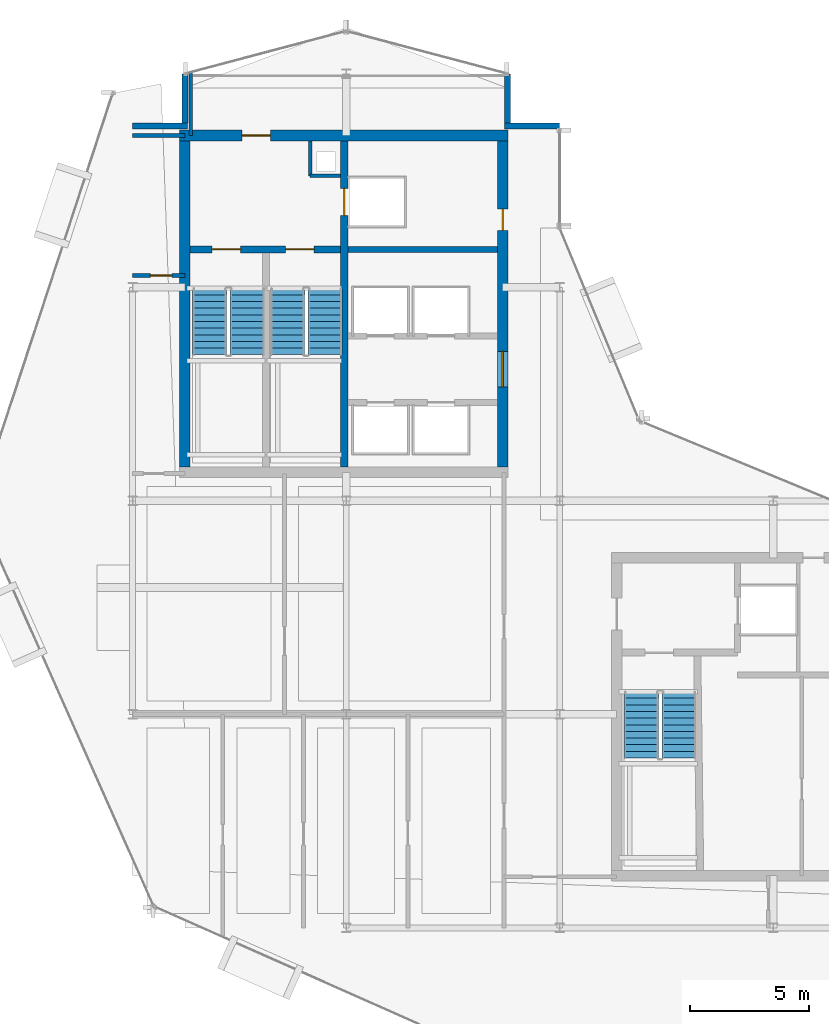
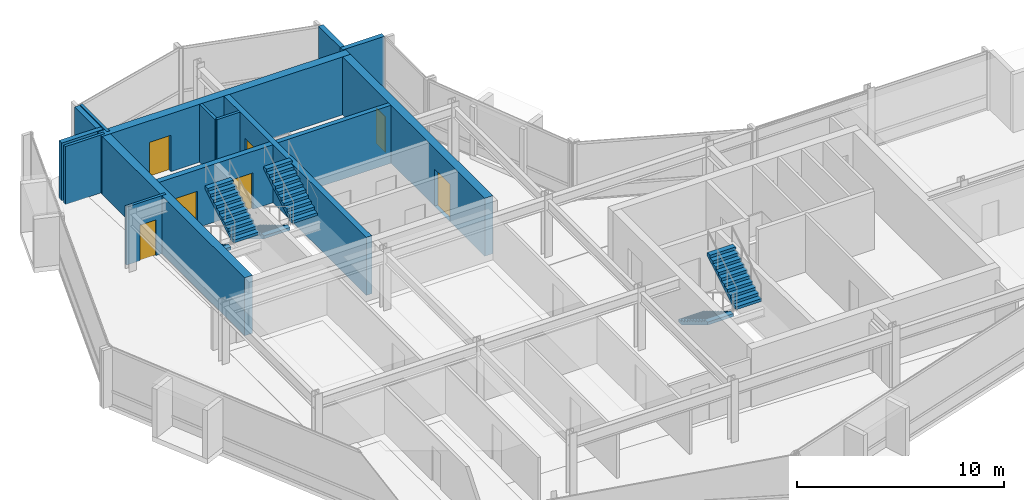
# One storey, part 21 of 27: 15 walls, 7 doors, 6 stair flights, 7 openings, 3 elements without a shape of their own.
"""IFC4 building model written with IfcOpenShell, lengths in metres."""

from ifc_helpers import new_model, si_unit, direction, frame, frame_2d, origin, place, context, subcontext, project, spatial, polyline, rectangle, outline, extrude, material, layer, layer_set, type_object, element, fill, aggregate, save


model = new_model("IFC4")

# Units and contexts
model_context = context("Model", 3, precision=1e-05, world=origin(), true_north=direction((0.0, 1.0)))
body_context = subcontext(model_context, "Body", "Model", "MODEL_VIEW")
ifc_project = project(units=[si_unit("LENGTHUNIT", "METRE"), si_unit("AREAUNIT", "SQUARE_METRE"), si_unit("VOLUMEUNIT", "CUBIC_METRE"), si_unit("PLANEANGLEUNIT", "RADIAN"), si_unit("MASSUNIT", "GRAM", prefix="KILO")], contexts=[model_context])

# Site, building, storey
site_placement = place(None, origin())
site = spatial("IfcSite", under=ifc_project, at=site_placement, CompositionType="ELEMENT")
building_placement = place(site_placement, origin())
building = spatial("IfcBuilding", under=site, at=building_placement, Name="Solvaryn Broadcast Tower", CompositionType="ELEMENT")
storey_placement = place(building_placement, frame((0.0, 0.0, 224.699951171875)))
storey = spatial("IfcBuildingStorey", under=building, at=storey_placement, Name="L56", CompositionType="ELEMENT", Elevation=224.699951171875)

# Wall, opening, door
ifc_material_1 = material(Name="Concrete f'c 70 MPa", Category="concrete")
ifc_layer_1 = layer(ifc_material_1, 0.449951171875)
ifc_layer_set_1 = layer_set([ifc_layer_1], Name="CW-SHEAR-450")
wall_type_1 = type_object("IfcWallType", Name="CW-SHEAR-450", PredefinedType="SHEAR", material=ifc_layer_set_1)
wall_1_placement = place(storey_placement, frame((24.824951171875, 42.39990234375, 0.0), z_axis=(0.0, 0.0, 1.0), x_axis=(-1.0, 0.0, 0.0)))
wall_1 = element("IfcWall", 1, at=wall_1_placement, inside=storey, type_object=wall_type_1, Name="L56 West Core North Shear Wall", PredefinedType="SHEAR", context=body_context, shape_type="SweptSolid", body=[
    extrude(rectangle(XDim=13.849853515625, YDim=0.449951171875, at=frame_2d((6.9248046875, 0.0))), origin(), (0.0, 0.0, 1.0), 3.420166015625),
])
opening_1_placement = place(wall_1_placement, frame((10.02490234375, 0.0, 0.0)))
opening_1 = element("IfcOpeningElement", 2, at=opening_1_placement, cuts=wall_1, Name="Opening FD90A", PredefinedType="OPENING", context=body_context, shape_type="SweptSolid", body=[
    extrude(rectangle(XDim=1.199951171875, YDim=2.14990234375, at=frame_2d((0.60009765625, 1.074951171875))), frame((0.0, 0.235107421875, 0.0), z_axis=(0.0, -1.0, 0.0), x_axis=(1.0, 0.0, 0.0)), (0.0, 0.0, 1.0), 0.469970703125),
])
ifc_material_2 = material(Name="Flush Acoustic Steel and Timber Door Assembly", Category="steel")
door_type_1 = type_object("IfcDoorType", Name="FD90-STAIR-1200X2150", OperationType="NOTDEFINED", PredefinedType="DOOR", material=ifc_material_2)
door_1_placement = place(opening_1_placement, origin())
door_1 = element("IfcDoor", 3, at=door_1_placement, inside=storey, type_object=door_type_1, Name="L56 West FSAE Lobby Corridor Door", OperationType="SINGLE_SWING_LEFT", OverallHeight=2.14990234375, OverallWidth=1.199951171875, PredefinedType="DOOR", context=body_context, shape_type="SweptSolid", body=[
    extrude(rectangle(XDim=1.199951171875, YDim=2.14990234375, at=frame_2d((0.60009765625, 1.074951171875))), frame((0.0, 0.02490234375, 0.0), z_axis=(0.0, -1.0, 0.0), x_axis=(1.0, 0.0, 0.0)), (0.0, 0.0, 1.0), 0.050048828125),
])
fill(opening_1, door_1)

# Wall
wall_2_placement = place(storey_placement, frame((11.199951171875, 42.175048828125, 0.0), z_axis=(0.0, 0.0, 1.0), x_axis=(0.0, -1.0, 0.0)))
element("IfcWall", 4, at=wall_2_placement, inside=storey, type_object=wall_type_1, Name="L56 West Core West Shear Wall", PredefinedType="SHEAR", context=body_context, shape_type="SweptSolid", body=[
    extrude(rectangle(XDim=13.75, YDim=0.449951171875, at=frame_2d((6.875, 0.0))), origin(), (0.0, 0.0, 1.0), 3.420166015625),
])

# Wall, openings, doors
wall_3_placement = place(storey_placement, frame((24.60009765625, 28.425048828125, 0.0), z_axis=(0.0, 0.0, 1.0), x_axis=(0.0, 1.0, 0.0)))
wall_3 = element("IfcWall", 5, at=wall_3_placement, inside=storey, type_object=wall_type_1, Name="L56 West Core East Shear Wall", PredefinedType="SHEAR", context=body_context, shape_type="SweptSolid", body=[
    extrude(rectangle(XDim=13.75, YDim=0.449951171875, at=frame_2d((6.875, 0.0))), origin(), (0.0, 0.0, 1.0), 3.420166015625),
])
opening_2_placement = place(wall_3_placement, frame((3.375, 0.0, 0.0)))
opening_2 = element("IfcOpeningElement", 6, at=opening_2_placement, cuts=wall_3, Name="Opening FD60A", PredefinedType="OPENING", context=body_context, shape_type="SweptSolid", body=[
    extrude(rectangle(XDim=1.5, YDim=2.199951171875, at=frame_2d((0.75, 1.10009765625))), frame((0.0, 0.235107421875, 0.0), z_axis=(0.0, -1.0, 0.0), x_axis=(1.0, 0.0, 0.0)), (0.0, 0.0, 1.0), 0.469970703125),
])
opening_3_placement = place(wall_3_placement, frame((9.97509765625, 0.0, 0.0)))
opening_3 = element("IfcOpeningElement", 7, at=opening_3_placement, cuts=wall_3, Name="Opening FD60C", PredefinedType="OPENING", context=body_context, shape_type="SweptSolid", body=[
    extrude(rectangle(XDim=0.89990234375, YDim=2.10009765625, at=frame_2d((0.449951171875, 1.050048828125))), frame((0.0, 0.235107421875, 0.0), z_axis=(0.0, -1.0, 0.0), x_axis=(1.0, 0.0, 0.0)), (0.0, 0.0, 1.0), 0.469970703125),
])
ifc_material_3 = material(Name="Flush Acoustic Steel and Timber Door Assembly", Category="steel")
door_type_2 = type_object("IfcDoorType", Name="FD60-CORR-1500X2200", OperationType="NOTDEFINED", PredefinedType="DOOR", material=ifc_material_3)
door_2_placement = place(opening_2_placement, origin())
door_2 = element("IfcDoor", 8, at=door_2_placement, inside=storey, type_object=door_type_2, Name="L56 West Elevator Lobby Corridor Door", OperationType="DOUBLE_DOOR_SINGLE_SWING", OverallHeight=2.199951171875, OverallWidth=1.5, PredefinedType="DOOR", context=body_context, shape_type="SweptSolid", body=[
    extrude(rectangle(XDim=1.5, YDim=2.199951171875, at=frame_2d((0.75, 1.10009765625))), frame((0.0, 0.02490234375, 0.0), z_axis=(0.0, -1.0, 0.0), x_axis=(1.0, 0.0, 0.0)), (0.0, 0.0, 1.0), 0.050048828125),
])
fill(opening_2, door_2)
ifc_material_4 = material(Name="Flush Acoustic Steel and Timber Door Assembly", Category="steel")
door_type_3 = type_object("IfcDoorType", Name="FD60-SERV-900X2100", OperationType="NOTDEFINED", PredefinedType="DOOR", material=ifc_material_4)
door_3_placement = place(opening_3_placement, origin())
door_3 = element("IfcDoor", 9, at=door_3_placement, inside=storey, type_object=door_type_3, Name="L56 West Core Service Door 1", OperationType="SINGLE_SWING_LEFT", OverallHeight=2.10009765625, OverallWidth=0.89990234375, PredefinedType="DOOR", context=body_context, shape_type="SweptSolid", body=[
    extrude(rectangle(XDim=0.89990234375, YDim=2.10009765625, at=frame_2d((0.449951171875, 1.050048828125))), frame((0.0, 0.02490234375, 0.0), z_axis=(0.0, -1.0, 0.0), x_axis=(1.0, 0.0, 0.0)), (0.0, 0.0, 1.0), 0.050048828125),
])
fill(opening_3, door_3)

# Walls
ifc_material_5 = material(Name="Concrete f'c 50 MPa", Category="concrete")
ifc_layer_2 = layer(ifc_material_5, 0.260009765625)
ifc_layer_set_2 = layer_set([ifc_layer_2], Name="EW-PIER-260")
wall_type_2 = type_object("IfcWallType", Name="EW-PIER-260", PredefinedType="SOLIDWALL", material=ifc_layer_set_2)
wall_4_placement = place(storey_placement, frame((9.0, 42.800048828125, 0.0), z_axis=(0.0, 0.0, 1.0), x_axis=(1.0, 0.0, 0.0)))
element("IfcWall", 10, at=wall_4_placement, inside=storey, type_object=wall_type_2, Name="L56 Notched Corner Pier Wall NNW1", PredefinedType="SOLIDWALL", context=body_context, shape_type="SweptSolid", body=[
    extrude(rectangle(XDim=2.320068359375, YDim=0.260009765625, at=frame_2d((1.16015625, 0.0))), origin(), (0.0, 0.0, 1.0), 3.420166015625),
])
for number, where, z_axis, x_axis, name in (
    (11, (11.199951171875, 42.919921875, 0.0), (0.0, 0.0, 1.0), (0.0, 1.0, 0.0), "L56 Notched Corner Pier Wall NNW2"),
    (12, (24.800048828125, 45.0, 0.0), (0.0, 0.0, 1.0), (0.0, -1.0, 0.0), "L56 Notched Corner Pier Wall NNE1"),
):
    element("IfcWall", number, at=place(storey_placement, frame(where, z_axis=z_axis, x_axis=x_axis)), inside=storey, type_object=wall_type_2, Name=name, PredefinedType="SOLIDWALL", context=body_context, shape_type="SweptSolid", body=[
        extrude(rectangle(XDim=2.080078125, YDim=0.260009765625, at=frame_2d((1.0400390625, 0.0))), origin(), (0.0, 0.0, 1.0), 3.420166015625),
    ])
wall_5_placement = place(storey_placement, frame((24.679931640625, 42.800048828125, 0.0), z_axis=(0.0, 0.0, 1.0), x_axis=(1.0, 0.0, 0.0)))
element("IfcWall", 13, at=wall_5_placement, inside=storey, type_object=wall_type_2, Name="L56 Notched Corner Pier Wall NNE2", PredefinedType="SOLIDWALL", context=body_context, shape_type="SweptSolid", body=[
    extrude(rectangle(XDim=2.320068359375, YDim=0.260009765625, at=frame_2d((1.16015625, 0.0))), origin(), (0.0, 0.0, 1.0), 3.420166015625),
])
ifc_material_6 = material(Name="Metal-Stud Service Core Partition")
ifc_layer_3 = layer(ifc_material_6, 0.14990234375)
ifc_layer_set_3 = layer_set([ifc_layer_3], Name="IW-PART-150")
wall_type_3 = type_object("IfcWallType", Name="IW-PART-150", PredefinedType="PARTITIONING", material=ifc_layer_set_3)
wall_6_placement = place(storey_placement, frame((16.47998046875, 40.699951171875, 0.0), z_axis=(0.0, 0.0, 1.0), x_axis=(1.0, 0.0, 0.0)))
element("IfcWall", 14, at=wall_6_placement, inside=storey, type_object=wall_type_3, Name="L56 West Core Riser Shaft South Wall", PredefinedType="PARTITIONING", context=body_context, shape_type="SweptSolid", body=[
    extrude(rectangle(XDim=1.2900390625, YDim=0.14990234375, at=frame_2d((0.64501953125, 0.0))), origin(), (0.0, 0.0, 1.0), 3.420166015625),
])
wall_7_placement = place(storey_placement, frame((16.47998046875, 40.699951171875, 0.0), z_axis=(0.0, 0.0, 1.0), x_axis=(0.0, 1.0, 0.0)))
element("IfcWall", 15, at=wall_7_placement, inside=storey, type_object=wall_type_3, Name="L56 West Core Riser Shaft West Wall", PredefinedType="PARTITIONING", context=body_context, shape_type="SweptSolid", body=[
    extrude(rectangle(XDim=1.47509765625, YDim=0.14990234375, at=frame_2d((0.737548828125, 0.0))), origin(), (0.0, 0.0, 1.0), 3.420166015625),
])

# Wall, opening, door
wall_8_placement = place(storey_placement, frame((9.0, 36.5, 0.0), z_axis=(0.0, 0.0, 1.0), x_axis=(1.0, 0.0, 0.0)))
wall_8 = element("IfcWall", 16, at=wall_8_placement, inside=storey, type_object=wall_type_3, Name="L56 Interior Partition IW-L56-WM-M", PredefinedType="PARTITIONING", context=body_context, shape_type="SweptSolid", body=[
    extrude(rectangle(XDim=2.199951171875, YDim=0.14990234375, at=frame_2d((1.10009765625, 0.0))), origin(), (0.0, 0.0, 1.0), 3.420166015625),
])
opening_4_placement = place(wall_8_placement, frame((0.75, 0.0, 0.0)))
opening_4 = element("IfcOpeningElement", 17, at=opening_4_placement, cuts=wall_8, Name="Opening FD60C", PredefinedType="OPENING", context=body_context, shape_type="SweptSolid", body=[
    extrude(rectangle(XDim=0.89990234375, YDim=2.10009765625, at=frame_2d((0.449951171875, 1.050048828125))), frame((0.0, 0.0849609375, 0.0), z_axis=(0.0, -1.0, 0.0), x_axis=(1.0, 0.0, 0.0)), (0.0, 0.0, 1.0), 0.169921875),
])
door_4_placement = place(opening_4_placement, origin())
door_4 = element("IfcDoor", 18, at=door_4_placement, inside=storey, type_object=door_type_3, Name="L56 Door DR-L56-WM1", OperationType="SINGLE_SWING_LEFT", OverallHeight=2.10009765625, OverallWidth=0.89990234375, PredefinedType="DOOR", context=body_context, shape_type="SweptSolid", body=[
    extrude(rectangle(XDim=0.89990234375, YDim=2.10009765625, at=frame_2d((0.449951171875, 1.050048828125))), frame((0.0, 0.02490234375, 0.0), z_axis=(0.0, -1.0, 0.0), x_axis=(1.0, 0.0, 0.0)), (0.0, 0.0, 1.0), 0.050048828125),
])
fill(opening_4, door_4)

# Walls
ifc_material_7 = material(Name="Metal-Stud Gypsum Office Partition")
ifc_layer_4 = layer(ifc_material_7, 0.159912109375)
ifc_layer_set_4 = layer_set([ifc_layer_4], Name="IW-PART-160")
wall_type_4 = type_object("IfcWallType", Name="IW-PART-160", PredefinedType="PARTITIONING", material=ifc_layer_set_4)
wall_9_placement = place(storey_placement, frame((9.0, 42.39990234375, 0.0), z_axis=(0.0, 0.0, 1.0), x_axis=(1.0, 0.0, 0.0)))
element("IfcWall", 19, at=wall_9_placement, inside=storey, type_object=wall_type_4, Name="L56 Interior Partition IW-L56-WM-N", PredefinedType="PARTITIONING", context=body_context, shape_type="SweptSolid", body=[
    extrude(rectangle(XDim=2.199951171875, YDim=0.159912109375, at=frame_2d((1.10009765625, 0.0))), origin(), (0.0, 0.0, 1.0), 3.420166015625),
])
wall_10_placement = place(storey_placement, frame((11.449951171875, 42.39990234375, 0.0), z_axis=(0.0, 0.0, 1.0), x_axis=(0.0, 1.0, 0.0)))
element("IfcWall", 20, at=wall_10_placement, inside=storey, type_object=wall_type_4, Name="L56 Interior Partition IW-L56-WM-E", PredefinedType="PARTITIONING", context=body_context, shape_type="SweptSolid", body=[
    extrude(rectangle(XDim=2.666015625, YDim=0.159912109375, at=frame_2d((1.3330078125, 0.0))), origin(), (0.0, 0.0, 1.0), 3.420166015625),
])
ifc_material_8 = material(Name="Concrete f'c 60 MPa", Category="concrete")
ifc_layer_5 = layer(ifc_material_8, 0.25)
ifc_layer_set_5 = layer_set([ifc_layer_5], Name="SW-SHAFT-250")
wall_type_5 = type_object("IfcWallType", Name="SW-SHAFT-250", PredefinedType="PARTITIONING", material=ifc_layer_set_5)
wall_11_placement = place(storey_placement, frame((18.070068359375, 37.60009765625, 0.0), z_axis=(0.0, 0.0, 1.0), x_axis=(1.0, 0.0, 0.0)))
element("IfcWall", 21, at=wall_11_placement, inside=storey, type_object=wall_type_5, Name="L56 West Core FSAE Hoistway Front Wall", PredefinedType="PARTITIONING", context=body_context, shape_type="SweptSolid", body=[
    extrude(rectangle(XDim=6.304931640625, YDim=0.25, at=frame_2d((3.15234375, 0.0))), origin(), (0.0, 0.0, 1.0), 3.420166015625),
])

# Wall, opening, door
ifc_material_9 = material(Name="Concrete f'c 70 MPa", Category="concrete")
ifc_layer_6 = layer(ifc_material_9, 0.300048828125)
ifc_layer_set_6 = layer_set([ifc_layer_6], Name="SW-SHAFT-300")
wall_type_6 = type_object("IfcWallType", Name="SW-SHAFT-300", PredefinedType="SHEAR", material=ifc_layer_set_6)
wall_12_placement = place(storey_placement, frame((17.919921875, 42.175048828125, 0.0), z_axis=(0.0, 0.0, 1.0), x_axis=(0.0, -1.0, 0.0)))
wall_12 = element("IfcWall", 22, at=wall_12_placement, inside=storey, type_object=wall_type_6, Name="L56 West Core Stair-Lobby Shear Wall", PredefinedType="SHEAR", context=body_context, shape_type="SweptSolid", body=[
    extrude(rectangle(XDim=13.75, YDim=0.300048828125, at=frame_2d((6.875, 0.0))), origin(), (0.0, 0.0, 1.0), 3.420166015625),
])
opening_5_placement = place(wall_12_placement, frame((2.0, 0.0, 0.0)))
opening_5 = element("IfcOpeningElement", 23, at=opening_5_placement, cuts=wall_12, Name="Opening LD01", PredefinedType="OPENING", context=body_context, shape_type="SweptSolid", body=[
    extrude(rectangle(XDim=1.14990234375, YDim=2.14990234375, at=frame_2d((0.574951171875, 1.074951171875))), frame((0.0, 0.159912109375, 0.0), z_axis=(0.0, -1.0, 0.0), x_axis=(1.0, 0.0, 0.0)), (0.0, 0.0, 1.0), 0.320068359375),
])
ifc_material_10 = material(Name="Flush Acoustic Steel and Timber Door Assembly", Category="steel")
door_type_4 = type_object("IfcDoorType", Name="LD-LIFT-1150X2150", OperationType="NOTDEFINED", PredefinedType="DOOR", material=ifc_material_10)
door_5_placement = place(opening_5_placement, origin())
door_5 = element("IfcDoor", 24, at=door_5_placement, inside=storey, type_object=door_type_4, Name="L56 FL1 Lift Landing Door", OperationType="DOUBLE_DOOR_SLIDING", OverallHeight=2.14990234375, OverallWidth=1.14990234375, PredefinedType="DOOR", context=body_context, shape_type="SweptSolid", body=[
    extrude(rectangle(XDim=1.14990234375, YDim=2.14990234375, at=frame_2d((0.574951171875, 1.074951171875))), frame((0.0, 0.02490234375, 0.0), z_axis=(0.0, -1.0, 0.0), x_axis=(1.0, 0.0, 0.0)), (0.0, 0.0, 1.0), 0.050048828125),
])
fill(opening_5, door_5)

# Wall, openings, doors
wall_13_placement = place(storey_placement, frame((17.77001953125, 37.60009765625, 0.0), z_axis=(0.0, 0.0, 1.0), x_axis=(-1.0, 0.0, 0.0)))
wall_13 = element("IfcWall", 25, at=wall_13_placement, inside=storey, type_object=wall_type_6, Name="L56 West Core FSAE Lobby South Wall", PredefinedType="SHEAR", context=body_context, shape_type="SweptSolid", body=[
    extrude(rectangle(XDim=6.344970703125, YDim=0.300048828125, at=frame_2d((3.17236328125, 0.0))), origin(), (0.0, 0.0, 1.0), 3.420166015625),
])
opening_6_placement = place(wall_13_placement, frame((4.219970703125, 0.0, 0.0)))
opening_6 = element("IfcOpeningElement", 26, at=opening_6_placement, cuts=wall_13, Name="Opening FD90A", PredefinedType="OPENING", context=body_context, shape_type="SweptSolid", body=[
    extrude(rectangle(XDim=1.199951171875, YDim=2.14990234375, at=frame_2d((0.60009765625, 1.074951171875))), frame((0.0, 0.159912109375, 0.0), z_axis=(0.0, -1.0, 0.0), x_axis=(1.0, 0.0, 0.0)), (0.0, 0.0, 1.0), 0.320068359375),
])
opening_7_placement = place(wall_13_placement, frame((1.1201171875, 0.0, 0.0)))
opening_7 = element("IfcOpeningElement", 27, at=opening_7_placement, cuts=wall_13, Name="Opening FD90A", PredefinedType="OPENING", context=body_context, shape_type="SweptSolid", body=[
    extrude(rectangle(XDim=1.199951171875, YDim=2.14990234375, at=frame_2d((0.60009765625, 1.074951171875))), frame((0.0, 0.159912109375, 0.0), z_axis=(0.0, -1.0, 0.0), x_axis=(1.0, 0.0, 0.0)), (0.0, 0.0, 1.0), 0.320068359375),
])
door_6_placement = place(opening_6_placement, origin())
door_6 = element("IfcDoor", 28, at=door_6_placement, inside=storey, type_object=door_type_1, Name="L56 Stair 1 Fire Door", OperationType="SINGLE_SWING_LEFT", OverallHeight=2.14990234375, OverallWidth=1.199951171875, PredefinedType="DOOR", context=body_context, shape_type="SweptSolid", body=[
    extrude(rectangle(XDim=1.199951171875, YDim=2.14990234375, at=frame_2d((0.60009765625, 1.074951171875))), frame((0.0, 0.02490234375, 0.0), z_axis=(0.0, -1.0, 0.0), x_axis=(1.0, 0.0, 0.0)), (0.0, 0.0, 1.0), 0.050048828125),
])
fill(opening_6, door_6)
door_7_placement = place(opening_7_placement, origin())
door_7 = element("IfcDoor", 29, at=door_7_placement, inside=storey, type_object=door_type_1, Name="L56 Stair 2 Fire Door", OperationType="SINGLE_SWING_RIGHT", OverallHeight=2.14990234375, OverallWidth=1.199951171875, PredefinedType="DOOR", context=body_context, shape_type="SweptSolid", body=[
    extrude(rectangle(XDim=1.199951171875, YDim=2.14990234375, at=frame_2d((0.60009765625, 1.074951171875))), frame((0.0, 0.02490234375, 0.0), z_axis=(0.0, -1.0, 0.0), x_axis=(1.0, 0.0, 0.0)), (0.0, 0.0, 1.0), 0.050048828125),
])
fill(opening_7, door_7)

# Stair, stair flights
ifc_material_11 = material(Name="Concrete f'c 60 MPa", Category="concrete")
stair_type = type_object("IfcStairType", Name="ST-CORE", PredefinedType="HALF_TURN_STAIR", material=ifc_material_11)
stair_1_placement = place(storey_placement, origin())
stair_1 = element("IfcStair", 30, at=stair_1_placement, inside=storey, type_object=stair_type, Name="L56 ST1", PredefinedType="HALF_TURN_STAIR")
ifc_material_12 = material(Name="Concrete f'c 60 MPa", Category="concrete")
ifc_layer_7 = layer(ifc_material_12, 0.159912109375)
ifc_layer_set_7 = layer_set([ifc_layer_7], Name="SF-CORE")
stair_flight_type = type_object("IfcStairFlightType", Name="SF-CORE", PredefinedType="STRAIGHT", material=ifc_layer_set_7)
stair_flight_1_placement = place(storey_placement, frame((12.239990234375, 35.9599609375, 0.0), z_axis=(0.0, 0.0, 1.0), x_axis=(0.0, -1.0, 0.0)))
stair_flight_1 = element("IfcStairFlight", 31, at=stair_flight_1_placement, type_object=stair_flight_type, Name="ST1 flight 1", NumberOfRisers=11, NumberOfTreads=10, PredefinedType="STRAIGHT", RiserHeight=0.168181818, TreadLength=0.28, context=body_context, shape_type="SweptSolid", body=[
    extrude(outline(polyline([(0.0, 0.0), (0.0, 0.168212890625), (0.280029296875, 0.168212890625), (0.280029296875, 0.33642578125), (0.56005859375, 0.33642578125), (0.56005859375, 0.504638671875), (0.840087890625, 0.504638671875), (0.840087890625, 0.672607421875), (1.1201171875, 0.672607421875), (1.1201171875, 0.8408203125), (1.39990234375, 0.8408203125), (1.39990234375, 1.009033203125), (1.679931640625, 1.009033203125), (1.679931640625, 1.17724609375), (1.9599609375, 1.17724609375), (1.9599609375, 1.345458984375), (2.239990234375, 1.345458984375), (2.239990234375, 1.513671875), (2.52001953125, 1.513671875), (2.52001953125, 1.681884765625), (2.800048828125, 1.681884765625), (2.800048828125, 1.85009765625), (2.800048828125, 1.5068359375), (0.291015625, 0.0), (0.0, 0.0)])), frame((0.0, 0.719970703125, 0.0), z_axis=(0.0, -1.0, 0.0), x_axis=(1.0, 0.0, 0.0)), (0.0, 0.0, 1.0), 1.43994140625),
])
stair_flight_2_placement = place(storey_placement, frame((13.830078125, 33.159912109375, 1.85009765625), z_axis=(0.0, 0.0, 1.0), x_axis=(0.0, 1.0, 0.0)))
stair_flight_2 = element("IfcStairFlight", 32, at=stair_flight_2_placement, type_object=stair_flight_type, Name="ST1 flight 2", NumberOfRisers=11, NumberOfTreads=10, PredefinedType="STRAIGHT", RiserHeight=0.168181818, TreadLength=0.28, context=body_context, shape_type="SweptSolid", body=[
    extrude(outline(polyline([(0.0, 0.0), (0.0, 0.168212890625), (0.280029296875, 0.168212890625), (0.280029296875, 0.33642578125), (0.56005859375, 0.33642578125), (0.56005859375, 0.504638671875), (0.840087890625, 0.504638671875), (0.840087890625, 0.672607421875), (1.1201171875, 0.672607421875), (1.1201171875, 0.8408203125), (1.39990234375, 0.8408203125), (1.39990234375, 1.009033203125), (1.679931640625, 1.009033203125), (1.679931640625, 1.17724609375), (1.9599609375, 1.17724609375), (1.9599609375, 1.345458984375), (2.239990234375, 1.345458984375), (2.239990234375, 1.513671875), (2.52001953125, 1.513671875), (2.52001953125, 1.681884765625), (2.800048828125, 1.681884765625), (2.800048828125, 1.85009765625), (2.800048828125, 1.5068359375), (0.291015625, 0.0), (0.0, 0.0)])), frame((0.0, 0.719970703125, 0.0), z_axis=(0.0, -1.0, 0.0), x_axis=(1.0, 0.0, 0.0)), (0.0, 0.0, 1.0), 1.43994140625),
])
aggregate(stair_1, [stair_flight_1, stair_flight_2])

stair_2_placement = place(storey_placement, origin())
stair_2 = element("IfcStair", 33, at=stair_2_placement, inside=storey, type_object=stair_type, Name="L56 ST2", PredefinedType="HALF_TURN_STAIR")
stair_flight_3_placement = place(storey_placement, frame((15.52001953125, 35.9599609375, 0.0), z_axis=(0.0, 0.0, 1.0), x_axis=(0.0, -1.0, 0.0)))
stair_flight_3 = element("IfcStairFlight", 34, at=stair_flight_3_placement, type_object=stair_flight_type, Name="ST2 flight 1", NumberOfRisers=11, NumberOfTreads=10, PredefinedType="STRAIGHT", RiserHeight=0.168181818, TreadLength=0.28, context=body_context, shape_type="SweptSolid", body=[
    extrude(outline(polyline([(0.0, 0.0), (0.0, 0.168212890625), (0.280029296875, 0.168212890625), (0.280029296875, 0.33642578125), (0.56005859375, 0.33642578125), (0.56005859375, 0.504638671875), (0.840087890625, 0.504638671875), (0.840087890625, 0.672607421875), (1.1201171875, 0.672607421875), (1.1201171875, 0.8408203125), (1.39990234375, 0.8408203125), (1.39990234375, 1.009033203125), (1.679931640625, 1.009033203125), (1.679931640625, 1.17724609375), (1.9599609375, 1.17724609375), (1.9599609375, 1.345458984375), (2.239990234375, 1.345458984375), (2.239990234375, 1.513671875), (2.52001953125, 1.513671875), (2.52001953125, 1.681884765625), (2.800048828125, 1.681884765625), (2.800048828125, 1.85009765625), (2.800048828125, 1.5068359375), (0.291015625, 0.0), (0.0, 0.0)])), frame((0.0, 0.719970703125, 0.0), z_axis=(0.0, -1.0, 0.0), x_axis=(1.0, 0.0, 0.0)), (0.0, 0.0, 1.0), 1.43994140625),
])
stair_flight_4_placement = place(storey_placement, frame((17.110107421875, 33.159912109375, 1.85009765625), z_axis=(0.0, 0.0, 1.0), x_axis=(0.0, 1.0, 0.0)))
stair_flight_4 = element("IfcStairFlight", 35, at=stair_flight_4_placement, type_object=stair_flight_type, Name="ST2 flight 2", NumberOfRisers=11, NumberOfTreads=10, PredefinedType="STRAIGHT", RiserHeight=0.168181818, TreadLength=0.28, context=body_context, shape_type="SweptSolid", body=[
    extrude(outline(polyline([(0.0, 0.0), (0.0, 0.168212890625), (0.280029296875, 0.168212890625), (0.280029296875, 0.33642578125), (0.56005859375, 0.33642578125), (0.56005859375, 0.504638671875), (0.840087890625, 0.504638671875), (0.840087890625, 0.672607421875), (1.1201171875, 0.672607421875), (1.1201171875, 0.8408203125), (1.39990234375, 0.8408203125), (1.39990234375, 1.009033203125), (1.679931640625, 1.009033203125), (1.679931640625, 1.17724609375), (1.9599609375, 1.17724609375), (1.9599609375, 1.345458984375), (2.239990234375, 1.345458984375), (2.239990234375, 1.513671875), (2.52001953125, 1.513671875), (2.52001953125, 1.681884765625), (2.800048828125, 1.681884765625), (2.800048828125, 1.85009765625), (2.800048828125, 1.5068359375), (0.291015625, 0.0), (0.0, 0.0)])), frame((0.0, 0.719970703125, 0.0), z_axis=(0.0, -1.0, 0.0), x_axis=(1.0, 0.0, 0.0)), (0.0, 0.0, 1.0), 1.43994140625),
])
aggregate(stair_2, [stair_flight_3, stair_flight_4])

stair_3_placement = place(storey_placement, origin())
stair_3 = element("IfcStair", 36, at=stair_3_placement, inside=storey, type_object=stair_type, Name="L56 ST3", PredefinedType="HALF_TURN_STAIR")
stair_flight_5_placement = place(storey_placement, frame((30.43994140625, 18.9599609375, 0.0), z_axis=(0.0, 0.0, 1.0), x_axis=(0.0, -1.0, 0.0)))
stair_flight_5 = element("IfcStairFlight", 37, at=stair_flight_5_placement, type_object=stair_flight_type, Name="ST3 flight 1", NumberOfRisers=11, NumberOfTreads=10, PredefinedType="STRAIGHT", RiserHeight=0.168181818, TreadLength=0.28, context=body_context, shape_type="SweptSolid", body=[
    extrude(outline(polyline([(0.0, 0.0), (0.0, 0.168212890625), (0.280029296875, 0.168212890625), (0.280029296875, 0.33642578125), (0.56005859375, 0.33642578125), (0.56005859375, 0.504638671875), (0.840087890625, 0.504638671875), (0.840087890625, 0.672607421875), (1.1201171875, 0.672607421875), (1.1201171875, 0.8408203125), (1.39990234375, 0.8408203125), (1.39990234375, 1.009033203125), (1.679931640625, 1.009033203125), (1.679931640625, 1.17724609375), (1.9599609375, 1.17724609375), (1.9599609375, 1.345458984375), (2.239990234375, 1.345458984375), (2.239990234375, 1.513671875), (2.52001953125, 1.513671875), (2.52001953125, 1.681884765625), (2.800048828125, 1.681884765625), (2.800048828125, 1.85009765625), (2.800048828125, 1.5068359375), (0.291015625, 0.0), (0.0, 0.0)])), frame((0.0, 0.719970703125, 0.0), z_axis=(0.0, -1.0, 0.0), x_axis=(1.0, 0.0, 0.0)), (0.0, 0.0, 1.0), 1.43994140625),
])
stair_flight_6_placement = place(storey_placement, frame((32.030029296875, 16.159912109375, 1.85009765625), z_axis=(0.0, 0.0, 1.0), x_axis=(0.0, 1.0, 0.0)))
stair_flight_6 = element("IfcStairFlight", 38, at=stair_flight_6_placement, type_object=stair_flight_type, Name="ST3 flight 2", NumberOfRisers=11, NumberOfTreads=10, PredefinedType="STRAIGHT", RiserHeight=0.168181818, TreadLength=0.28, context=body_context, shape_type="SweptSolid", body=[
    extrude(outline(polyline([(0.0, 0.0), (0.0, 0.168212890625), (0.280029296875, 0.168212890625), (0.280029296875, 0.33642578125), (0.56005859375, 0.33642578125), (0.56005859375, 0.504638671875), (0.840087890625, 0.504638671875), (0.840087890625, 0.672607421875), (1.1201171875, 0.672607421875), (1.1201171875, 0.8408203125), (1.39990234375, 0.8408203125), (1.39990234375, 1.009033203125), (1.679931640625, 1.009033203125), (1.679931640625, 1.17724609375), (1.9599609375, 1.17724609375), (1.9599609375, 1.345458984375), (2.239990234375, 1.345458984375), (2.239990234375, 1.513671875), (2.52001953125, 1.513671875), (2.52001953125, 1.681884765625), (2.800048828125, 1.681884765625), (2.800048828125, 1.85009765625), (2.800048828125, 1.5068359375), (0.291015625, 0.0), (0.0, 0.0)])), frame((0.0, 0.719970703125, 0.0), z_axis=(0.0, -1.0, 0.0), x_axis=(1.0, 0.0, 0.0)), (0.0, 0.0, 1.0), 1.43994140625),
])
aggregate(stair_3, [stair_flight_5, stair_flight_6])

save(model, "model.ifc")
